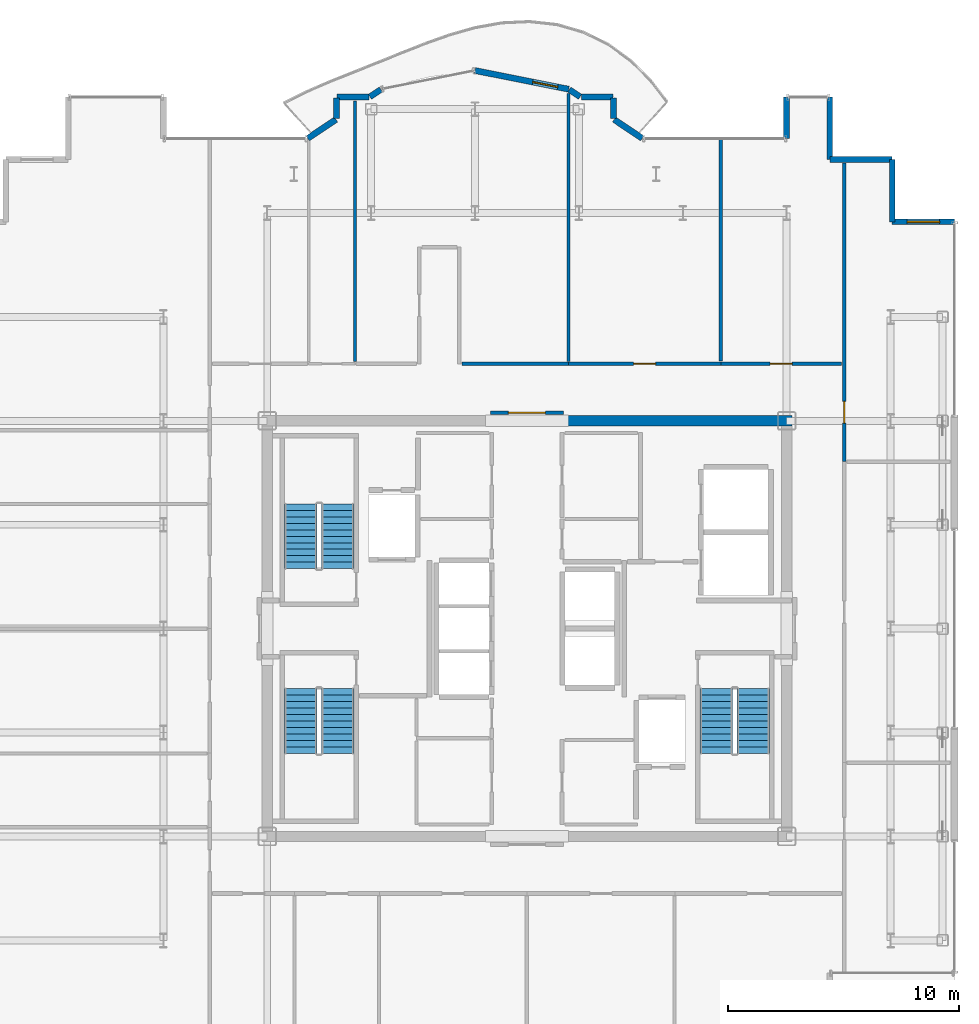
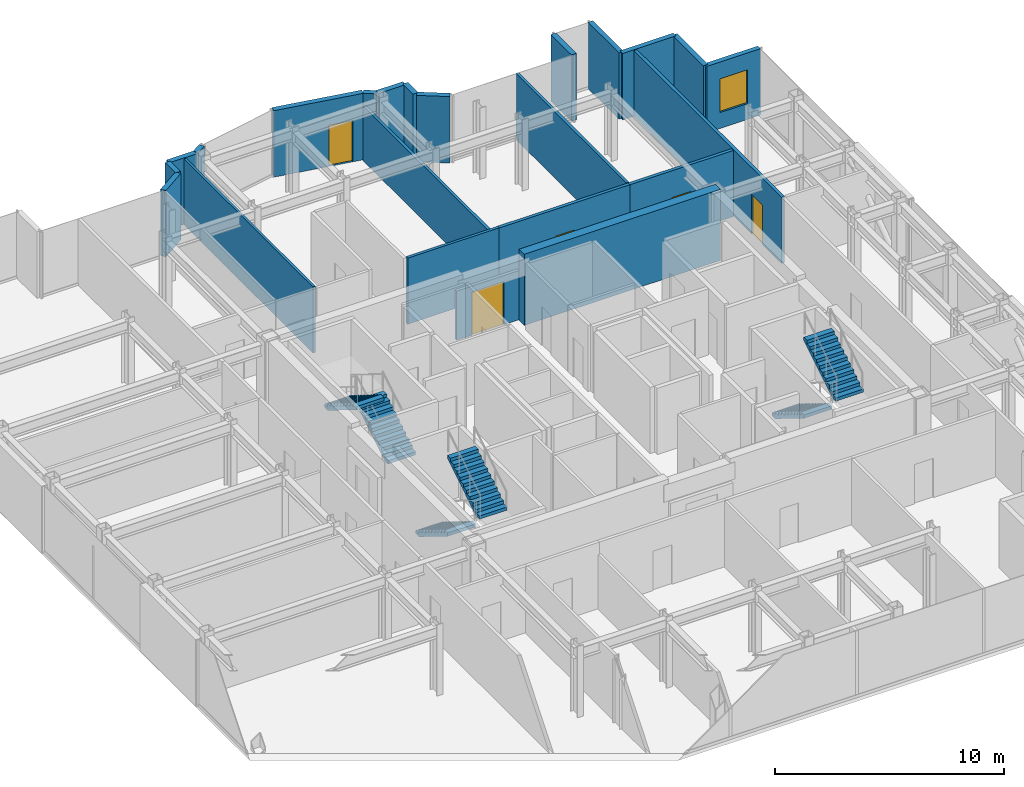
# One storey, part 15 of 18: 23 walls, 6 stair flights, 5 doors, 1 window, 6 openings, 3 elements without a shape of their own.
"""IFC4 building model written with IfcOpenShell, lengths in metres."""

from ifc_helpers import new_model, si_unit, direction, frame, frame_2d, origin, place, context, subcontext, project, spatial, polyline, rectangle, outline, extrude, source, transform, mapped, material, layer, layer_set, type_object, element, fill, aggregate, save


model = new_model("IFC4")

# Units and contexts
model_context = context("Model", 3, precision=1e-05, world=origin(), true_north=direction((0.0, 1.0)))
body_context = subcontext(model_context, "Body", "Model", "MODEL_VIEW")
ifc_project = project(units=[si_unit("LENGTHUNIT", "METRE"), si_unit("AREAUNIT", "SQUARE_METRE"), si_unit("VOLUMEUNIT", "CUBIC_METRE"), si_unit("PLANEANGLEUNIT", "RADIAN"), si_unit("MASSUNIT", "GRAM", prefix="KILO")], contexts=[model_context])

# Site, building, storey
site_placement = place(None, origin())
site = spatial("IfcSite", under=ifc_project, at=site_placement, CompositionType="ELEMENT")
building_placement = place(site_placement, origin())
building = spatial("IfcBuilding", under=site, at=building_placement, Name="Nefas-Gora Pilgrimage Tower", CompositionType="ELEMENT")
storey_placement = place(building_placement, frame((0.0, 0.0, 298.800048828125)))
storey = spatial("IfcBuildingStorey", under=building, at=storey_placement, Name="L75", CompositionType="ELEMENT", Elevation=298.800048828125)

# Walls
ifc_material_1 = material(Name="Concrete C50/60", Category="concrete")
ifc_layer_1 = layer(ifc_material_1, 0.449951171875)
ifc_layer_set_1 = layer_set([ifc_layer_1], Name="Concrete C50/60")
wall_type_1 = type_object("IfcWallType", Name="SW-CORE-450", PredefinedType="SHEAR", material=ifc_layer_set_1)
shared_shape_1 = source(origin(), body_context, "Body", "SweptSolid", [
    extrude(rectangle(XDim=9.925048828125, YDim=0.449951171875, at=frame_2d((4.96240234375, 0.0))), origin(), (0.0, 0.0, 1.0), 3.800048828125),
])
wall_1_placement = place(storey_placement, frame((1.550048828125, 9.0, 0.0), z_axis=(0.0, 0.0, 1.0), x_axis=(1.0, 0.0, 0.0)))
element("IfcWall", 1, at=wall_1_placement, inside=storey, type_object=wall_type_1, Name="L75 Core Shear Wall N-East", PredefinedType="SHEAR", context=body_context, shape_type="MappedRepresentation", body=[
    mapped(shared_shape_1, transform((0.0, 0.0, 0.0), x_axis=(1.0, 0.0, 0.0), y_axis=(0.0, 1.0, 0.0), z_axis=(0.0, 0.0, 1.0), scale=1.0)),
])
ifc_material_2 = material(Name="Precast concrete C40/50", Category="concrete")
ifc_layer_2 = layer(ifc_material_2, 0.260009765625)
ifc_layer_set_2 = layer_set([ifc_layer_2], Name="Precast concrete C40/50")
wall_type_2 = type_object("IfcWallType", Name="EW-PORTAL-260", PredefinedType="SOLIDWALL", material=ifc_layer_set_2)
shared_shape_2 = source(origin(), body_context, "Body", "SweptSolid", [
    extrude(rectangle(XDim=1.800048828125, YDim=0.260009765625, at=frame_2d((0.89990234375, 0.0))), origin(), (0.0, 0.0, 1.0), 3.550048828125),
])
wall_2_placement = place(storey_placement, frame((11.25, 23.02001953125, 0.0), z_axis=(0.0, 0.0, 1.0), x_axis=(0.0, -1.0, 0.0)))
element("IfcWall", 2, at=wall_2_placement, inside=storey, type_object=wall_type_2, Name="L75 Lobe Shoulder Precast Spandrel Pier 13", PredefinedType="SOLIDWALL", context=body_context, shape_type="MappedRepresentation", body=[
    mapped(shared_shape_2, transform((0.0, 0.0, 0.0), x_axis=(1.0, 0.0, 0.0), y_axis=(0.0, 1.0, 0.0), z_axis=(0.0, 0.0, 1.0), scale=1.0)),
])

# Wall, opening, window
ifc_material_3 = material(Name="Precast concrete C45/55", Category="concrete")
ifc_layer_3 = layer(ifc_material_3, 0.239990234375)
ifc_layer_set_3 = layer_set([ifc_layer_3], Name="Precast concrete C45/55")
wall_type_3 = type_object("IfcWallType", Name="EW-SERR-240", PredefinedType="SHEAR", material=ifc_layer_set_3)
shared_shape_3 = source(origin(), body_context, "Body", "SweptSolid", [
    extrude(rectangle(XDim=2.699951171875, YDim=0.239990234375, at=frame_2d((1.35009765625, 0.0))), origin(), (0.0, 0.0, 1.0), 3.550048828125),
])
wall_3_placement = place(storey_placement, frame((18.52001953125, 17.6201171875, 0.0), z_axis=(0.0, 0.0, 1.0), x_axis=(-1.0, 0.0, 0.0)))
wall_3 = element("IfcWall", 3, at=wall_3_placement, inside=storey, type_object=wall_type_3, Name="L75 Serrated Corner Shear Pier Wall 9", PredefinedType="SHEAR", context=body_context, shape_type="MappedRepresentation", body=[
    mapped(shared_shape_3, transform((0.0, 0.0, 0.0), x_axis=(1.0, 0.0, 0.0), y_axis=(0.0, 1.0, 0.0), z_axis=(0.0, 0.0, 1.0), scale=1.0)),
])
opening_1_placement = place(wall_3_placement, frame((0.64990234375, 0.0, 0.85009765625)))
opening_1 = element("IfcOpeningElement", 4, at=opening_1_placement, cuts=wall_3, Name="Opening W-V2", PredefinedType="OPENING", context=body_context, shape_type="SweptSolid", body=[
    extrude(rectangle(XDim=1.39990234375, YDim=1.800048828125, at=frame_2d((0.699951171875, 0.89990234375))), frame((0.0, 0.1298828125, 0.0), z_axis=(0.0, -1.0, 0.0), x_axis=(1.0, 0.0, 0.0)), (0.0, 0.0, 1.0), 0.260009765625),
])
ifc_material_4 = material(Name="Dark ceramic-fritted operable aluminium-glass window", Category="aluminium")
window_type = type_object("IfcWindowType", Name="WIN-VENT-1400x1800", PartitioningType="SINGLE_PANEL", PredefinedType="WINDOW", material=ifc_material_4)
shared_shape_4 = source(origin(), body_context, "Body", "SweptSolid", [
    extrude(rectangle(XDim=1.39990234375, YDim=1.800048828125, at=frame_2d((0.699951171875, 0.89990234375))), frame((0.0, 0.030029296875, 0.0), z_axis=(0.0, -1.0, 0.0), x_axis=(1.0, 0.0, 0.0)), (0.0, 0.0, 1.0), 0.06005859375),
])
window_placement = place(opening_1_placement, origin())
window = element("IfcWindow", 5, at=window_placement, inside=storey, type_object=window_type, Name="L75 Operable Parallel-Outswing Window 9", OverallHeight=1.800048828125, OverallWidth=1.39990234375, PartitioningType="SINGLE_PANEL", PredefinedType="WINDOW", context=body_context, shape_type="MappedRepresentation", body=[
    mapped(shared_shape_4, transform((0.0, 0.0, 0.0), x_axis=(1.0, 0.0, 0.0), y_axis=(0.0, 1.0, 0.0), z_axis=(0.0, 0.0, 1.0), scale=1.0)),
])
fill(opening_1, window)

# Walls
for number, where, z_axis, x_axis, name in (
    (6, (15.820068359375, 17.6201171875, 0.0), (0.0, 0.0, 1.0), (0.0, 1.0, 0.0), "L75 Serrated Corner Shear Pier Wall 10"),
    (7, (15.820068359375, 20.320068359375, 0.0), (0.0, 0.0, 1.0), (-1.0, 0.0, 0.0), "L75 Serrated Corner Shear Pier Wall 11"),
    (8, (13.1201171875, 20.320068359375, 0.0), (0.0, 0.0, 1.0), (0.0, 1.0, 0.0), "L75 Serrated Corner Shear Pier Wall 12"),
):
    element("IfcWall", number, at=place(storey_placement, frame(where, z_axis=z_axis, x_axis=x_axis)), inside=storey, type_object=wall_type_3, Name=name, PredefinedType="SHEAR", context=body_context, shape_type="MappedRepresentation", body=[
        mapped(shared_shape_3, transform((0.0, 0.0, 0.0), x_axis=(1.0, 0.0, 0.0), y_axis=(0.0, 1.0, 0.0), z_axis=(0.0, 0.0, 1.0), scale=1.0)),
    ])
shared_shape_5 = source(origin(), body_context, "Body", "SweptSolid", [
    extrude(rectangle(XDim=1.468994140625, YDim=0.260009765625, at=frame_2d((0.734375, 0.0))), origin(), (0.0, 0.0, 1.0), 3.550048828125),
])
for number, where, z_axis, x_axis, name in (
    (9, (4.99462890625, 21.235595703125, 0.0), (0.0, 0.0, 1.0), (-0.831461760506, 0.555581983884, 0.0), "L75 Lobe Shoulder Precast Spandrel Pier 14"),
    (10, (-8.273193359375, 22.0517578125, 0.0), (0.0, 0.0, 1.0), (-0.831461760506, -0.555581983884, 0.0), "L75 Lobe Shoulder Precast Spandrel Pier 22"),
):
    element("IfcWall", number, at=place(storey_placement, frame(where, z_axis=z_axis, x_axis=x_axis)), inside=storey, type_object=wall_type_2, Name=name, PredefinedType="SOLIDWALL", context=body_context, shape_type="MappedRepresentation", body=[
        mapped(shared_shape_5, transform((0.0, 0.0, 0.0), x_axis=(1.0, 0.0, 0.0), y_axis=(0.0, 1.0, 0.0), z_axis=(0.0, 0.0, 1.0), scale=1.0)),
    ])
shared_shape_6 = source(origin(), body_context, "Body", "SweptSolid", [
    extrude(rectangle(XDim=0.896728515625, YDim=0.260009765625, at=frame_2d((0.4482421875, 0.0))), origin(), (0.0, 0.0, 1.0), 3.550048828125),
])
for number, where, z_axis, x_axis, name in (
    (11, (3.75, 22.09521484375, 0.0), (0.0, 0.0, 1.0), (0.0, 1.0, 0.0), "L75 Lobe Shoulder Precast Spandrel Pier 15"),
    (12, (-8.25, 22.991943359375, 0.0), (0.0, 0.0, 1.0), (0.0, -1.0, 0.0), "L75 Lobe Shoulder Precast Spandrel Pier 21"),
):
    element("IfcWall", number, at=place(storey_placement, frame(where, z_axis=z_axis, x_axis=x_axis)), inside=storey, type_object=wall_type_2, Name=name, PredefinedType="SOLIDWALL", context=body_context, shape_type="MappedRepresentation", body=[
        mapped(shared_shape_6, transform((0.0, 0.0, 0.0), x_axis=(1.0, 0.0, 0.0), y_axis=(0.0, 1.0, 0.0), z_axis=(0.0, 0.0, 1.0), scale=1.0)),
    ])
shared_shape_7 = source(origin(), body_context, "Body", "SweptSolid", [
    extrude(rectangle(XDim=1.369873046875, YDim=0.260009765625, at=frame_2d((0.68505859375, 0.0))), origin(), (0.0, 0.0, 1.0), 3.550048828125),
])
for number, where, z_axis, x_axis, name in (
    (13, (3.721923828125, 23.02001953125, 0.0), (0.0, 0.0, 1.0), (-1.0, 0.0, 0.0), "L75 Lobe Shoulder Precast Spandrel Pier 16"),
    (14, (-6.85205078125, 23.02001953125, 0.0), (0.0, 0.0, 1.0), (-1.0, 0.0, 0.0), "L75 Lobe Shoulder Precast Spandrel Pier 20"),
):
    element("IfcWall", number, at=place(storey_placement, frame(where, z_axis=z_axis, x_axis=x_axis)), inside=storey, type_object=wall_type_2, Name=name, PredefinedType="SOLIDWALL", context=body_context, shape_type="MappedRepresentation", body=[
        mapped(shared_shape_7, transform((0.0, 0.0, 0.0), x_axis=(1.0, 0.0, 0.0), y_axis=(0.0, 1.0, 0.0), z_axis=(0.0, 0.0, 1.0), scale=1.0)),
    ])
shared_shape_8 = source(origin(), body_context, "Body", "SweptSolid", [
    extrude(rectangle(XDim=0.5654296875, YDim=0.260009765625, at=frame_2d((0.28271484375, 0.0))), origin(), (0.0, 0.0, 1.0), 3.550048828125),
])
for number, where, z_axis, x_axis, name in (
    (15, (2.30078125, 23.03564453125, 0.0), (0.0, 0.0, 1.0), (-0.831651492666, 0.555297933317, 0.0), "L75 Lobe Shoulder Precast Spandrel Pier 17"),
    (16, (-6.33056640625, 23.349609375, 0.0), (0.0, 0.0, 1.0), (-0.831651492666, -0.555297933317, 0.0), "L75 Lobe Shoulder Precast Spandrel Pier 19"),
):
    element("IfcWall", number, at=place(storey_placement, frame(where, z_axis=z_axis, x_axis=x_axis)), inside=storey, type_object=wall_type_2, Name=name, PredefinedType="SOLIDWALL", context=body_context, shape_type="MappedRepresentation", body=[
        mapped(shared_shape_8, transform((0.0, 0.0, 0.0), x_axis=(1.0, 0.0, 0.0), y_axis=(0.0, 1.0, 0.0), z_axis=(0.0, 0.0, 1.0), scale=1.0)),
    ])

# Wall, opening, door
shared_shape_9 = source(origin(), body_context, "Body", "SweptSolid", [
    extrude(rectangle(XDim=4.136962890625, YDim=0.260009765625, at=frame_2d((2.068359375, 0.0))), origin(), (0.0, 0.0, 1.0), 3.550048828125),
])
wall_4_placement = place(storey_placement, frame((1.807373046875, 23.365234375, 0.0), z_axis=(0.0, 0.0, 1.0), x_axis=(-0.980782170794, 0.195105954428, 0.0)))
wall_4 = element("IfcWall", 17, at=wall_4_placement, inside=storey, type_object=wall_type_2, Name="L75 Insulated Terrace Portal Wall 18", PredefinedType="SOLIDWALL", context=body_context, shape_type="MappedRepresentation", body=[
    mapped(shared_shape_9, transform((0.0, 0.0, 0.0), x_axis=(1.0, 0.0, 0.0), y_axis=(0.0, 1.0, 0.0), z_axis=(0.0, 0.0, 1.0), scale=1.0)),
])
opening_2_placement = place(wall_4_placement, frame((0.48779296875, 0.0, 0.0)))
opening_2 = element("IfcOpeningElement", 18, at=opening_2_placement, cuts=wall_4, Name="Opening ED-B1", PredefinedType="OPENING", context=body_context, shape_type="SweptSolid", body=[
    extrude(rectangle(XDim=1.10009765625, YDim=2.199951171875, at=frame_2d((0.550048828125, 1.10009765625))), frame((0.0, 0.139892578125, 0.0), z_axis=(0.0, -1.0, 0.0), x_axis=(1.0, 0.0, 0.0)), (0.0, 0.0, 1.0), 0.280029296875),
])
ifc_material_5 = material(Name="Thermally broken glazed aluminium balcony door", Category="aluminium")
door_type_1 = type_object("IfcDoorType", Name="DR-EXT-BAL-1100", OperationType="NOTDEFINED", PredefinedType="DOOR", material=ifc_material_5)
shared_shape_10 = source(origin(), body_context, "Body", "SweptSolid", [
    extrude(rectangle(XDim=1.10009765625, YDim=2.199951171875, at=frame_2d((0.550048828125, 1.10009765625))), frame((0.0, 0.02490234375, 0.0), z_axis=(0.0, -1.0, 0.0), x_axis=(1.0, 0.0, 0.0)), (0.0, 0.0, 1.0), 0.050048828125),
])
door_1_placement = place(opening_2_placement, origin())
door_1 = element("IfcDoor", 19, at=door_1_placement, inside=storey, type_object=door_type_1, Name="L75 Exterior Door (L75 N Lobe Wave Balcony)", OperationType="SINGLE_SWING_LEFT", OverallHeight=2.199951171875, OverallWidth=1.10009765625, PredefinedType="DOOR", context=body_context, shape_type="MappedRepresentation", body=[
    mapped(shared_shape_10, transform((0.0, 0.0, 0.0), x_axis=(1.0, 0.0, 0.0), y_axis=(0.0, 1.0, 0.0), z_axis=(0.0, 0.0, 1.0), scale=1.0)),
])
fill(opening_2, door_1)

# Walls
ifc_material_6 = material(Name="Moisture-resistant fire-rated gypsum partition")
ifc_layer_4 = layer(ifc_material_6, 0.1201171875)
ifc_layer_set_4 = layer_set([ifc_layer_4], Name="Moisture-resistant fire-rated gypsum partition")
wall_type_4 = type_object("IfcWallType", Name="IW-WET-120", PredefinedType="PLUMBINGWALL", material=ifc_layer_set_4)
shared_shape_11 = source(origin(), body_context, "Body", "SweptSolid", [
    extrude(rectangle(XDim=11.280029296875, YDim=0.1201171875, at=frame_2d((5.64013671875, 0.0))), origin(), (0.0, 0.0, 1.0), 3.534912109375),
])
wall_5_placement = place(storey_placement, frame((-7.449951171875, 11.570068359375, 0.0), z_axis=(0.0, 0.0, 1.0), x_axis=(0.0, 1.0, 0.0)))
element("IfcWall", 20, at=wall_5_placement, inside=storey, type_object=wall_type_4, Name="L75 Accessible Unisex WC Partition Wall 37", PredefinedType="PLUMBINGWALL", context=body_context, shape_type="MappedRepresentation", body=[
    mapped(shared_shape_11, transform((0.0, 0.0, 0.0), x_axis=(1.0, 0.0, 0.0), y_axis=(0.0, 1.0, 0.0), z_axis=(0.0, 0.0, 1.0), scale=1.0)),
])
ifc_material_7 = material(Name="Gypsum twin-stud partition")
ifc_layer_5 = layer(ifc_material_7, 0.139892578125)
ifc_layer_set_5 = layer_set([ifc_layer_5], Name="Gypsum twin-stud partition")
wall_type_5 = type_object("IfcWallType", Name="IW-UNIT-140", PredefinedType="PARTITIONING", material=ifc_layer_set_5)
shared_shape_12 = source(origin(), body_context, "Body", "SweptSolid", [
    extrude(rectangle(XDim=9.64990234375, YDim=0.139892578125, at=frame_2d((4.824951171875, 0.0))), origin(), (0.0, 0.0, 1.0), 3.534912109375),
])
wall_6_placement = place(storey_placement, frame((8.39501953125, 11.590087890625, 0.0), z_axis=(0.0, 0.0, 1.0), x_axis=(0.0, 1.0, 0.0)))
element("IfcWall", 21, at=wall_6_placement, inside=storey, type_object=wall_type_5, Name="L75 Pilgrim Contemplative Lounge Partition Wall 63", PredefinedType="PARTITIONING", context=body_context, shape_type="MappedRepresentation", body=[
    mapped(shared_shape_12, transform((0.0, 0.0, 0.0), x_axis=(1.0, 0.0, 0.0), y_axis=(0.0, 1.0, 0.0), z_axis=(0.0, 0.0, 1.0), scale=1.0)),
])

# Wall, opening, door
ifc_material_8 = material(Name="Gypsum acoustic stud partition")
ifc_layer_6 = layer(ifc_material_8, 0.159912109375)
ifc_layer_set_6 = layer_set([ifc_layer_6], Name="Gypsum acoustic stud partition")
wall_type_6 = type_object("IfcWallType", Name="IW-CORR-160", PredefinedType="PARTITIONING", material=ifc_layer_set_6)
shared_shape_13 = source(origin(), body_context, "Body", "SweptSolid", [
    extrude(rectangle(XDim=5.22509765625, YDim=0.159912109375, at=frame_2d((2.612548828125, 0.0))), origin(), (0.0, 0.0, 1.0), 3.534912109375),
])
wall_7_placement = place(storey_placement, frame((8.39501953125, 11.469970703125, 0.0), z_axis=(0.0, 0.0, 1.0), x_axis=(1.0, 0.0, 0.0)))
wall_7 = element("IfcWall", 22, at=wall_7_placement, inside=storey, type_object=wall_type_6, Name="L75 Pilgrim Contemplative Lounge Partition Wall 64", PredefinedType="PARTITIONING", context=body_context, shape_type="MappedRepresentation", body=[
    mapped(shared_shape_13, transform((0.0, 0.0, 0.0), x_axis=(1.0, 0.0, 0.0), y_axis=(0.0, 1.0, 0.0), z_axis=(0.0, 0.0, 1.0), scale=1.0)),
])
opening_3_placement = place(wall_7_placement, frame((2.137451171875, 0.0, 0.0)))
opening_3 = element("IfcOpeningElement", 23, at=opening_3_placement, cuts=wall_7, Name="Opening ID-GR1", PredefinedType="OPENING", context=body_context, shape_type="SweptSolid", body=[
    extrude(rectangle(XDim=0.949951171875, YDim=2.10009765625, at=frame_2d((0.47509765625, 1.050048828125))), frame((0.0, 0.08984375, 0.0), z_axis=(0.0, -1.0, 0.0), x_axis=(1.0, 0.0, 0.0)), (0.0, 0.0, 1.0), 0.179931640625),
])
ifc_material_9 = material(Name="Solid core oak fire-rated guest entrance door")
door_type_2 = type_object("IfcDoorType", Name="DR-INT-GUEST-950", OperationType="NOTDEFINED", PredefinedType="DOOR", material=ifc_material_9)
shared_shape_14 = source(origin(), body_context, "Body", "SweptSolid", [
    extrude(rectangle(XDim=0.949951171875, YDim=2.10009765625, at=frame_2d((0.47509765625, 1.050048828125))), frame((0.0, 0.02490234375, 0.0), z_axis=(0.0, -1.0, 0.0), x_axis=(1.0, 0.0, 0.0)), (0.0, 0.0, 1.0), 0.050048828125),
])
door_2_placement = place(opening_3_placement, origin())
door_2 = element("IfcDoor", 24, at=door_2_placement, inside=storey, type_object=door_type_2, Name="L75 Pilgrim Contemplative Lounge Door 28", OperationType="SINGLE_SWING_RIGHT", OverallHeight=2.10009765625, OverallWidth=0.949951171875, PredefinedType="DOOR", context=body_context, shape_type="MappedRepresentation", body=[
    mapped(shared_shape_14, transform((0.0, 0.0, 0.0), x_axis=(1.0, 0.0, 0.0), y_axis=(0.0, 1.0, 0.0), z_axis=(0.0, 0.0, 1.0), scale=1.0)),
])
fill(opening_3, door_2)

shared_shape_15 = source(origin(), body_context, "Body", "SweptSolid", [
    extrude(rectangle(XDim=6.610107421875, YDim=0.159912109375, at=frame_2d((3.30517578125, 0.0))), origin(), (0.0, 0.0, 1.0), 3.534912109375),
])
wall_8_placement = place(storey_placement, frame((1.794921875, 11.469970703125, 0.0), z_axis=(0.0, 0.0, 1.0), x_axis=(1.0, 0.0, 0.0)))
wall_8 = element("IfcWall", 25, at=wall_8_placement, inside=storey, type_object=wall_type_6, Name="L75 Pilgrim Contemplative Lounge Partition Wall 62", PredefinedType="PARTITIONING", context=body_context, shape_type="MappedRepresentation", body=[
    mapped(shared_shape_15, transform((0.0, 0.0, 0.0), x_axis=(1.0, 0.0, 0.0), y_axis=(0.0, 1.0, 0.0), z_axis=(0.0, 0.0, 1.0), scale=1.0)),
])
opening_4_placement = place(wall_8_placement, frame((2.830078125, 0.0, 0.0)))
opening_4 = element("IfcOpeningElement", 26, at=opening_4_placement, cuts=wall_8, Name="Opening ID-GR1", PredefinedType="OPENING", context=body_context, shape_type="SweptSolid", body=[
    extrude(rectangle(XDim=0.949951171875, YDim=2.10009765625, at=frame_2d((0.47509765625, 1.050048828125))), frame((0.0, 0.08984375, 0.0), z_axis=(0.0, -1.0, 0.0), x_axis=(1.0, 0.0, 0.0)), (0.0, 0.0, 1.0), 0.179931640625),
])
door_3_placement = place(opening_4_placement, origin())
door_3 = element("IfcDoor", 27, at=door_3_placement, inside=storey, type_object=door_type_2, Name="L75 Pilgrim Contemplative Lounge Door 27", OperationType="SINGLE_SWING_LEFT", OverallHeight=2.10009765625, OverallWidth=0.949951171875, PredefinedType="DOOR", context=body_context, shape_type="MappedRepresentation", body=[
    mapped(shared_shape_14, transform((0.0, 0.0, 0.0), x_axis=(1.0, 0.0, 0.0), y_axis=(0.0, 1.0, 0.0), z_axis=(0.0, 0.0, 1.0), scale=1.0)),
])
fill(opening_4, door_3)

shared_shape_16 = source(origin(), body_context, "Body", "SweptSolid", [
    extrude(rectangle(XDim=3.16015625, YDim=0.159912109375, at=frame_2d((1.580078125, 0.0))), origin(), (0.0, 0.0, 1.0), 2.625),
])
wall_9_placement = place(storey_placement, frame((-1.580078125, 9.35009765625, 0.0), z_axis=(0.0, 0.0, 1.0), x_axis=(1.0, 0.0, 0.0)))
wall_9 = element("IfcWall", 28, at=wall_9_placement, inside=storey, type_object=wall_type_6, Name="L75 Central Lift Lobby North Portal Wall 16", PredefinedType="PARTITIONING", context=body_context, shape_type="MappedRepresentation", body=[
    mapped(shared_shape_16, transform((0.0, 0.0, 0.0), x_axis=(1.0, 0.0, 0.0), y_axis=(0.0, 1.0, 0.0), z_axis=(0.0, 0.0, 1.0), scale=1.0)),
])
opening_5_placement = place(wall_9_placement, frame((0.780029296875, 0.0, 0.0)))
opening_5 = element("IfcOpeningElement", 29, at=opening_5_placement, cuts=wall_9, Name="Opening ID-HL1", PredefinedType="OPENING", context=body_context, shape_type="SweptSolid", body=[
    extrude(rectangle(XDim=1.60009765625, YDim=2.300048828125, at=frame_2d((0.800048828125, 1.14990234375))), frame((0.0, 0.08984375, 0.0), z_axis=(0.0, -1.0, 0.0), x_axis=(1.0, 0.0, 0.0)), (0.0, 0.0, 1.0), 0.179931640625),
])
ifc_material_10 = material(Name="Double acoustic timber assembly hall door", Category="wood")
door_type_3 = type_object("IfcDoorType", Name="DR-INT-HALL-1600", OperationType="DOUBLE_DOOR_SINGLE_SWING", PredefinedType="DOOR", material=ifc_material_10)
shared_shape_17 = source(origin(), body_context, "Body", "SweptSolid", [
    extrude(rectangle(XDim=1.60009765625, YDim=2.300048828125, at=frame_2d((0.800048828125, 1.14990234375))), frame((0.0, 0.02490234375, 0.0), z_axis=(0.0, -1.0, 0.0), x_axis=(1.0, 0.0, 0.0)), (0.0, 0.0, 1.0), 0.050048828125),
])
door_4_placement = place(opening_5_placement, origin())
door_4 = element("IfcDoor", 30, at=door_4_placement, inside=storey, type_object=door_type_3, Name="L75 Central Lift Lobby North Portal Door 6", OperationType="DOUBLE_DOOR_SINGLE_SWING", OverallHeight=2.300048828125, OverallWidth=1.60009765625, PredefinedType="DOOR", context=body_context, shape_type="MappedRepresentation", body=[
    mapped(shared_shape_17, transform((0.0, 0.0, 0.0), x_axis=(1.0, 0.0, 0.0), y_axis=(0.0, 1.0, 0.0), z_axis=(0.0, 0.0, 1.0), scale=1.0)),
])
fill(opening_5, door_4)

shared_shape_18 = source(origin(), body_context, "Body", "SweptSolid", [
    extrude(rectangle(XDim=12.92236328125, YDim=0.159912109375, at=frame_2d((6.461181640625, 0.0))), origin(), (0.0, 0.0, 1.0), 3.534912109375),
])
wall_10_placement = place(storey_placement, frame((13.739990234375, 7.237548828125, 0.0), z_axis=(0.0, 0.0, 1.0), x_axis=(0.0, 1.0, 0.0)))
wall_10 = element("IfcWall", 31, at=wall_10_placement, inside=storey, type_object=wall_type_6, Name="L75 Pilgrim Contemplative Lounge Partition Wall 54", PredefinedType="PARTITIONING", context=body_context, shape_type="MappedRepresentation", body=[
    mapped(shared_shape_18, transform((0.0, 0.0, 0.0), x_axis=(1.0, 0.0, 0.0), y_axis=(0.0, 1.0, 0.0), z_axis=(0.0, 0.0, 1.0), scale=1.0)),
])
opening_6_placement = place(wall_10_placement, frame((1.6611328125, 0.0, 0.0)))
opening_6 = element("IfcOpeningElement", 32, at=opening_6_placement, cuts=wall_10, Name="Opening ID-GR1", PredefinedType="OPENING", context=body_context, shape_type="SweptSolid", body=[
    extrude(rectangle(XDim=0.949951171875, YDim=2.10009765625, at=frame_2d((0.47509765625, 1.050048828125))), frame((0.0, 0.08984375, 0.0), z_axis=(0.0, -1.0, 0.0), x_axis=(1.0, 0.0, 0.0)), (0.0, 0.0, 1.0), 0.179931640625),
])
door_5_placement = place(opening_6_placement, origin())
door_5 = element("IfcDoor", 33, at=door_5_placement, inside=storey, type_object=door_type_2, Name="L75 Pilgrim Contemplative Lounge Door 24", OperationType="SINGLE_SWING_RIGHT", OverallHeight=2.10009765625, OverallWidth=0.949951171875, PredefinedType="DOOR", context=body_context, shape_type="MappedRepresentation", body=[
    mapped(shared_shape_14, transform((0.0, 0.0, 0.0), x_axis=(1.0, 0.0, 0.0), y_axis=(0.0, 1.0, 0.0), z_axis=(0.0, 0.0, 1.0), scale=1.0)),
])
fill(opening_6, door_5)

# Walls
shared_shape_19 = source(origin(), body_context, "Body", "SweptSolid", [
    extrude(rectangle(XDim=4.625, YDim=0.139892578125, at=frame_2d((2.3125, 0.0))), origin(), (0.0, 0.0, 1.0), 3.534912109375),
])
wall_11_placement = place(storey_placement, frame((-2.820068359375, 11.469970703125, 0.0), z_axis=(0.0, 0.0, 1.0), x_axis=(1.0, 0.0, 0.0)))
element("IfcWall", 34, at=wall_11_placement, inside=storey, type_object=wall_type_5, Name="L75 Pilgrim Contemplative Lounge Partition Wall 58", PredefinedType="PARTITIONING", context=body_context, shape_type="MappedRepresentation", body=[
    mapped(shared_shape_19, transform((0.0, 0.0, 0.0), x_axis=(1.0, 0.0, 0.0), y_axis=(0.0, 1.0, 0.0), z_axis=(0.0, 0.0, 1.0), scale=1.0)),
])
shared_shape_20 = source(origin(), body_context, "Body", "SweptSolid", [
    extrude(rectangle(XDim=11.59130859375, YDim=0.139892578125, at=frame_2d((5.795654296875, 0.0))), origin(), (0.0, 0.0, 1.0), 2.925048828125),
])
wall_12_placement = place(storey_placement, frame((1.794921875, 11.580078125, 0.0), z_axis=(0.0, 0.0, 1.0), x_axis=(0.0, 1.0, 0.0)))
element("IfcWall", 35, at=wall_12_placement, inside=storey, type_object=wall_type_5, Name="L75 Pilgrim Contemplative Lounge Partition Wall 61", PredefinedType="PARTITIONING", context=body_context, shape_type="MappedRepresentation", body=[
    mapped(shared_shape_20, transform((0.0, 0.0, 0.0), x_axis=(1.0, 0.0, 0.0), y_axis=(0.0, 1.0, 0.0), z_axis=(0.0, 0.0, 1.0), scale=1.0)),
])

# Stair, stair flights
ifc_material_11 = material(Name="Concrete C45/55", Category="concrete")
stair_type = type_object("IfcStairType", Name="STR-1400-R1727", PredefinedType="HALF_TURN_STAIR", material=ifc_material_11)
stair_1_placement = place(storey_placement, origin())
stair_1 = element("IfcStair", 36, at=stair_1_placement, inside=storey, type_object=stair_type, Name="L75 Pressurised Tower Exit Stair ST-01", PredefinedType="HALF_TURN_STAIR")
stair_flight_type = type_object("IfcStairFlightType", Name="STF-1400-R1727", PredefinedType="STRAIGHT", material=ifc_material_11)
shared_shape_21 = source(origin(), body_context, "Body", "SweptSolid", [
    extrude(outline(polyline([(0.0, 0.0), (0.0, 0.172607421875), (0.280029296875, 0.172607421875), (0.280029296875, 0.345458984375), (0.56005859375, 0.345458984375), (0.56005859375, 0.51806640625), (0.840087890625, 0.51806640625), (0.840087890625, 0.69091796875), (1.1201171875, 0.69091796875), (1.1201171875, 0.863525390625), (1.39990234375, 0.863525390625), (1.39990234375, 1.036376953125), (1.679931640625, 1.036376953125), (1.679931640625, 1.208984375), (1.9599609375, 1.208984375), (1.9599609375, 1.3818359375), (2.239990234375, 1.3818359375), (2.239990234375, 1.554443359375), (2.52001953125, 1.554443359375), (2.52001953125, 1.727294921875), (2.800048828125, 1.727294921875), (2.800048828125, 1.89990234375), (2.800048828125, 1.551025390625), (0.285400390625, 0.0), (0.0, 0.0)])), frame((0.0, 0.699951171875, 0.0), z_axis=(0.0, -1.0, 0.0), x_axis=(1.0, 0.0, 0.0)), (0.0, 0.0, 1.0), 1.39990234375),
])
stair_flight_1_placement = place(storey_placement, frame((-8.199951171875, 2.60009765625, 0.0), z_axis=(0.0, 0.0, 1.0), x_axis=(0.0, 1.0, 0.0)))
stair_flight_1 = element("IfcStairFlight", 37, at=stair_flight_1_placement, type_object=stair_flight_type, Name="ST-01 flight 1", NumberOfRisers=11, NumberOfTreads=10, PredefinedType="STRAIGHT", RiserHeight=0.172727273, TreadLength=0.28, context=body_context, shape_type="MappedRepresentation", body=[
    mapped(shared_shape_21, transform((0.0, 0.0, 0.0), x_axis=(1.0, 0.0, 0.0), y_axis=(0.0, 1.0, 0.0), z_axis=(0.0, 0.0, 1.0), scale=1.0)),
])
stair_flight_2_placement = place(storey_placement, frame((-9.800048828125, 5.39990234375, 1.89990234375), z_axis=(0.0, 0.0, 1.0), x_axis=(0.0, -1.0, 0.0)))
stair_flight_2 = element("IfcStairFlight", 38, at=stair_flight_2_placement, type_object=stair_flight_type, Name="ST-01 flight 2", NumberOfRisers=11, NumberOfTreads=10, PredefinedType="STRAIGHT", RiserHeight=0.172727273, TreadLength=0.28, context=body_context, shape_type="MappedRepresentation", body=[
    mapped(shared_shape_21, transform((0.0, 0.0, 0.0), x_axis=(1.0, 0.0, 0.0), y_axis=(0.0, 1.0, 0.0), z_axis=(0.0, 0.0, 1.0), scale=1.0)),
])
aggregate(stair_1, [stair_flight_1, stair_flight_2])

stair_2_placement = place(storey_placement, origin())
stair_2 = element("IfcStair", 39, at=stair_2_placement, inside=storey, type_object=stair_type, Name="L75 Pressurised Tower Exit Stair ST-02", PredefinedType="HALF_TURN_STAIR")
stair_flight_3_placement = place(storey_placement, frame((8.199951171875, -2.60009765625, 0.0), z_axis=(0.0, 0.0, 1.0), x_axis=(0.0, -1.0, 0.0)))
stair_flight_3 = element("IfcStairFlight", 40, at=stair_flight_3_placement, type_object=stair_flight_type, Name="ST-02 flight 1", NumberOfRisers=11, NumberOfTreads=10, PredefinedType="STRAIGHT", RiserHeight=0.172727273, TreadLength=0.28, context=body_context, shape_type="MappedRepresentation", body=[
    mapped(shared_shape_21, transform((0.0, 0.0, 0.0), x_axis=(1.0, 0.0, 0.0), y_axis=(0.0, 1.0, 0.0), z_axis=(0.0, 0.0, 1.0), scale=1.0)),
])
stair_flight_4_placement = place(storey_placement, frame((9.800048828125, -5.39990234375, 1.89990234375), z_axis=(0.0, 0.0, 1.0), x_axis=(0.0, 1.0, 0.0)))
stair_flight_4 = element("IfcStairFlight", 41, at=stair_flight_4_placement, type_object=stair_flight_type, Name="ST-02 flight 2", NumberOfRisers=11, NumberOfTreads=10, PredefinedType="STRAIGHT", RiserHeight=0.172727273, TreadLength=0.28, context=body_context, shape_type="MappedRepresentation", body=[
    mapped(shared_shape_21, transform((0.0, 0.0, 0.0), x_axis=(1.0, 0.0, 0.0), y_axis=(0.0, 1.0, 0.0), z_axis=(0.0, 0.0, 1.0), scale=1.0)),
])
aggregate(stair_2, [stair_flight_3, stair_flight_4])

stair_3_placement = place(storey_placement, origin())
stair_3 = element("IfcStair", 42, at=stair_3_placement, inside=storey, type_object=stair_type, Name="L75 Pressurised Tower Exit Stair ST-03", PredefinedType="HALF_TURN_STAIR")
stair_flight_5_placement = place(storey_placement, frame((-9.800048828125, -2.60009765625, 0.0), z_axis=(0.0, 0.0, 1.0), x_axis=(0.0, -1.0, 0.0)))
stair_flight_5 = element("IfcStairFlight", 43, at=stair_flight_5_placement, type_object=stair_flight_type, Name="ST-03 flight 1", NumberOfRisers=11, NumberOfTreads=10, PredefinedType="STRAIGHT", RiserHeight=0.172727273, TreadLength=0.28, context=body_context, shape_type="MappedRepresentation", body=[
    mapped(shared_shape_21, transform((0.0, 0.0, 0.0), x_axis=(1.0, 0.0, 0.0), y_axis=(0.0, 1.0, 0.0), z_axis=(0.0, 0.0, 1.0), scale=1.0)),
])
stair_flight_6_placement = place(storey_placement, frame((-8.199951171875, -5.39990234375, 1.89990234375), z_axis=(0.0, 0.0, 1.0), x_axis=(0.0, 1.0, 0.0)))
stair_flight_6 = element("IfcStairFlight", 44, at=stair_flight_6_placement, type_object=stair_flight_type, Name="ST-03 flight 2", NumberOfRisers=11, NumberOfTreads=10, PredefinedType="STRAIGHT", RiserHeight=0.172727273, TreadLength=0.28, context=body_context, shape_type="MappedRepresentation", body=[
    mapped(shared_shape_21, transform((0.0, 0.0, 0.0), x_axis=(1.0, 0.0, 0.0), y_axis=(0.0, 1.0, 0.0), z_axis=(0.0, 0.0, 1.0), scale=1.0)),
])
aggregate(stair_3, [stair_flight_5, stair_flight_6])

save(model, "model.ifc")
